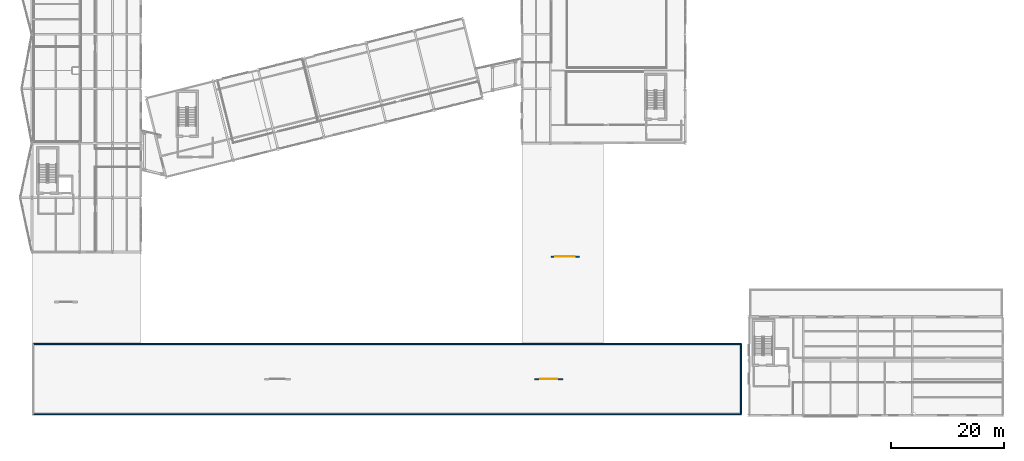
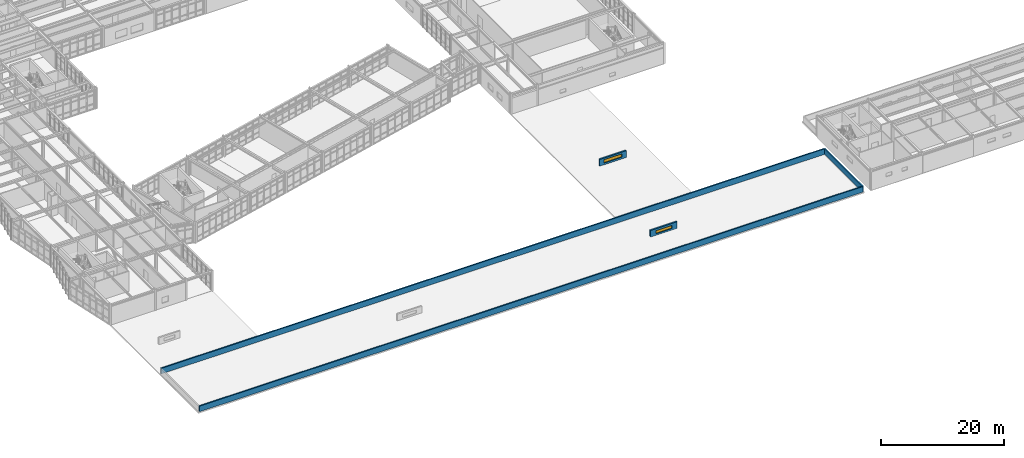
# One storey, part 71 of 88: 5 walls, 2 windows, 2 openings.
"""IFC4 building model written with IfcOpenShell, lengths in metres."""

from ifc_helpers import new_model, si_unit, direction, frame, frame_2d, origin, place, context, subcontext, project, spatial, rectangle, extrude, material, layer, layer_set, type_object, element, fill, save


model = new_model("IFC4")

# Units and contexts
model_context = context("Model", 3, precision=1e-05, world=origin(), true_north=direction((0.0, 1.0)))
body_context = subcontext(model_context, "Body", "Model", "MODEL_VIEW")
ifc_project = project(units=[si_unit("LENGTHUNIT", "METRE"), si_unit("AREAUNIT", "SQUARE_METRE"), si_unit("VOLUMEUNIT", "CUBIC_METRE"), si_unit("PLANEANGLEUNIT", "RADIAN"), si_unit("MASSUNIT", "GRAM", prefix="KILO")], contexts=[model_context])

# Site, building, storey
site_placement = place(None, origin())
site = spatial("IfcSite", under=ifc_project, at=site_placement, CompositionType="ELEMENT")
building_placement = place(site_placement, origin())
building = spatial("IfcBuilding", under=site, at=building_placement, Name="Nordkorset Police Headquarters", CompositionType="ELEMENT")
storey_placement = place(building_placement, frame((0.0, 0.0, 9.449951171875)))
storey = spatial("IfcBuildingStorey", under=building, at=storey_placement, Name="L02", CompositionType="ELEMENT", Elevation=9.449951171875)

# Wall, opening, window
ifc_material_1 = material(Name="Precast concrete C40/50", Category="concrete")
ifc_layer_1 = layer(ifc_material_1, 0.280029296875, Name="Precast concrete C40/50")
ifc_layer_set_1 = layer_set([ifc_layer_1], Name="Precast concrete C40/50")
wall_type_1 = type_object("IfcWallType", Name="Wall_ExtSpandrel_280", PredefinedType="SOLIDWALL", material=ifc_layer_set_1)
wall_1_placement = place(storey_placement, frame((88.60009765625, 6.39990234375, 0.0), z_axis=(0.0, 0.0, 1.0), x_axis=(1.0, 0.0, 0.0)))
wall_1 = element("IfcWall", 1, at=wall_1_placement, inside=storey, type_object=wall_type_1, Name="Roof Monitor Lantern Curb SKY-V7-3", PredefinedType="SOLIDWALL", context=body_context, shape_type="SweptSolid", body=[
    extrude(rectangle(XDim=5.0, YDim=0.280029296875, at=frame_2d((2.5, 0.0))), origin(), (0.0, 0.0, 1.0), 1.35009765625),
])
opening_1_placement = place(wall_1_placement, frame((1.0, 0.0, 0.35009765625)))
opening_1 = element("IfcOpeningElement", 2, at=opening_1_placement, cuts=wall_1, Name="Opening SK-05", PredefinedType="OPENING", context=body_context, shape_type="SweptSolid", body=[
    extrude(rectangle(XDim=3.0, YDim=0.60009765625, at=frame_2d((1.5, 0.300048828125))), frame((0.0, 0.14990234375, 0.0), z_axis=(0.0, -1.0, 0.0), x_axis=(1.0, 0.0, 0.0)), (0.0, 0.0, 1.0), 0.300048828125),
])
ifc_material_2 = material(Name="Low-iron triple glazing", Category="glass")
window_type_1 = type_object("IfcWindowType", Name="Skylight_3000x600", PartitioningType="SINGLE_PANEL", PredefinedType="SKYLIGHT", material=ifc_material_2)
window_1_placement = place(opening_1_placement, origin())
window_1 = element("IfcWindow", 3, at=window_1_placement, inside=storey, type_object=window_type_1, Name="Triple-Glazed Roof Monitor Skylight SKY-V7-3", OverallHeight=0.60009765625, OverallWidth=3.0, PartitioningType="SINGLE_PANEL", PredefinedType="SKYLIGHT", context=body_context, shape_type="SweptSolid", body=[
    extrude(rectangle(XDim=3.0, YDim=0.60009765625, at=frame_2d((1.5, 0.300048828125))), frame((0.0, 0.030029296875, 0.0), z_axis=(0.0, -1.0, 0.0), x_axis=(1.0, 0.0, 0.0)), (0.0, 0.0, 1.0), 0.06005859375),
])
fill(opening_1, window_1)

wall_2_placement = place(storey_placement, frame((91.5, 28.0, 0.0), z_axis=(0.0, 0.0, 1.0), x_axis=(1.0, 0.0, 0.0)))
wall_2 = element("IfcWall", 4, at=wall_2_placement, inside=storey, type_object=wall_type_1, Name="Roof Monitor Lantern Curb SKY-V7-4", PredefinedType="SOLIDWALL", context=body_context, shape_type="SweptSolid", body=[
    extrude(rectangle(XDim=5.0, YDim=0.280029296875, at=frame_2d((2.5, 0.0))), origin(), (0.0, 0.0, 1.0), 1.35009765625),
])
opening_2_placement = place(wall_2_placement, frame((0.800048828125, 0.0, 0.35009765625)))
opening_2 = element("IfcOpeningElement", 5, at=opening_2_placement, cuts=wall_2, Name="Opening SK-01", PredefinedType="OPENING", context=body_context, shape_type="SweptSolid", body=[
    extrude(rectangle(XDim=3.39990234375, YDim=0.64990234375, at=frame_2d((1.699951171875, 0.324951171875))), frame((0.0, 0.14990234375, 0.0), z_axis=(0.0, -1.0, 0.0), x_axis=(1.0, 0.0, 0.0)), (0.0, 0.0, 1.0), 0.300048828125),
])
ifc_material_3 = material(Name="Low-iron triple glazing", Category="glass")
window_type_2 = type_object("IfcWindowType", Name="Skylight_3400x650", PartitioningType="SINGLE_PANEL", PredefinedType="SKYLIGHT", material=ifc_material_3)
window_2_placement = place(opening_2_placement, origin())
window_2 = element("IfcWindow", 6, at=window_2_placement, inside=storey, type_object=window_type_2, Name="Triple-Glazed Roof Monitor Skylight SKY-V7-4", OverallHeight=0.64990234375, OverallWidth=3.39990234375, PartitioningType="SINGLE_PANEL", PredefinedType="SKYLIGHT", context=body_context, shape_type="SweptSolid", body=[
    extrude(rectangle(XDim=3.39990234375, YDim=0.64990234375, at=frame_2d((1.699951171875, 0.324951171875))), frame((0.0, 0.030029296875, 0.0), z_axis=(0.0, -1.0, 0.0), x_axis=(1.0, 0.0, 0.0)), (0.0, 0.0, 1.0), 0.06005859375),
])
fill(opening_2, window_2)

# Walls
ifc_material_4 = material(Name="Precast concrete C40/50", Category="concrete")
ifc_layer_2 = layer(ifc_material_4, 0.239990234375, Name="Precast concrete C40/50")
ifc_layer_set_2 = layer_set([ifc_layer_2], Name="Precast concrete C40/50")
wall_type_2 = type_object("IfcWallType", Name="Wall_Parapet_240", PredefinedType="PARAPET", material=ifc_layer_set_2)
wall_3_placement = place(storey_placement, frame((0.199951171875, 0.199951171875, 0.0), z_axis=(0.0, 0.0, 1.0), x_axis=(1.0, 0.0, 0.0)))
element("IfcWall", 7, at=wall_3_placement, inside=storey, type_object=wall_type_2, Name="Flat Roof Parapet Wall V7-L02-1", PredefinedType="PARAPET", context=body_context, shape_type="SweptSolid", body=[
    extrude(rectangle(XDim=124.800048828125, YDim=0.239990234375, at=frame_2d((62.39990234375, 0.0))), origin(), (0.0, 0.0, 1.0), 1.10009765625),
])
wall_4_placement = place(storey_placement, frame((125.0, 0.199951171875, 0.0), z_axis=(0.0, 0.0, 1.0), x_axis=(0.0, 1.0, 0.0)))
element("IfcWall", 8, at=wall_4_placement, inside=storey, type_object=wall_type_2, Name="Flat Roof Parapet Wall V7-L02-2", PredefinedType="PARAPET", context=body_context, shape_type="SweptSolid", body=[
    extrude(rectangle(XDim=12.400146484375, YDim=0.239990234375, at=frame_2d((6.2001953125, 0.0))), origin(), (0.0, 0.0, 1.0), 1.10009765625),
])
wall_5_placement = place(storey_placement, frame((125.0, 12.60009765625, 0.0), z_axis=(0.0, 0.0, 1.0), x_axis=(-1.0, 0.0, 0.0)))
element("IfcWall", 9, at=wall_5_placement, inside=storey, type_object=wall_type_2, Name="Flat Roof Parapet Wall V7-L02-3", PredefinedType="PARAPET", context=body_context, shape_type="SweptSolid", body=[
    extrude(rectangle(XDim=124.800048828125, YDim=0.239990234375, at=frame_2d((62.39990234375, 0.0))), origin(), (0.0, 0.0, 1.0), 1.10009765625),
])

save(model, "model.ifc")
